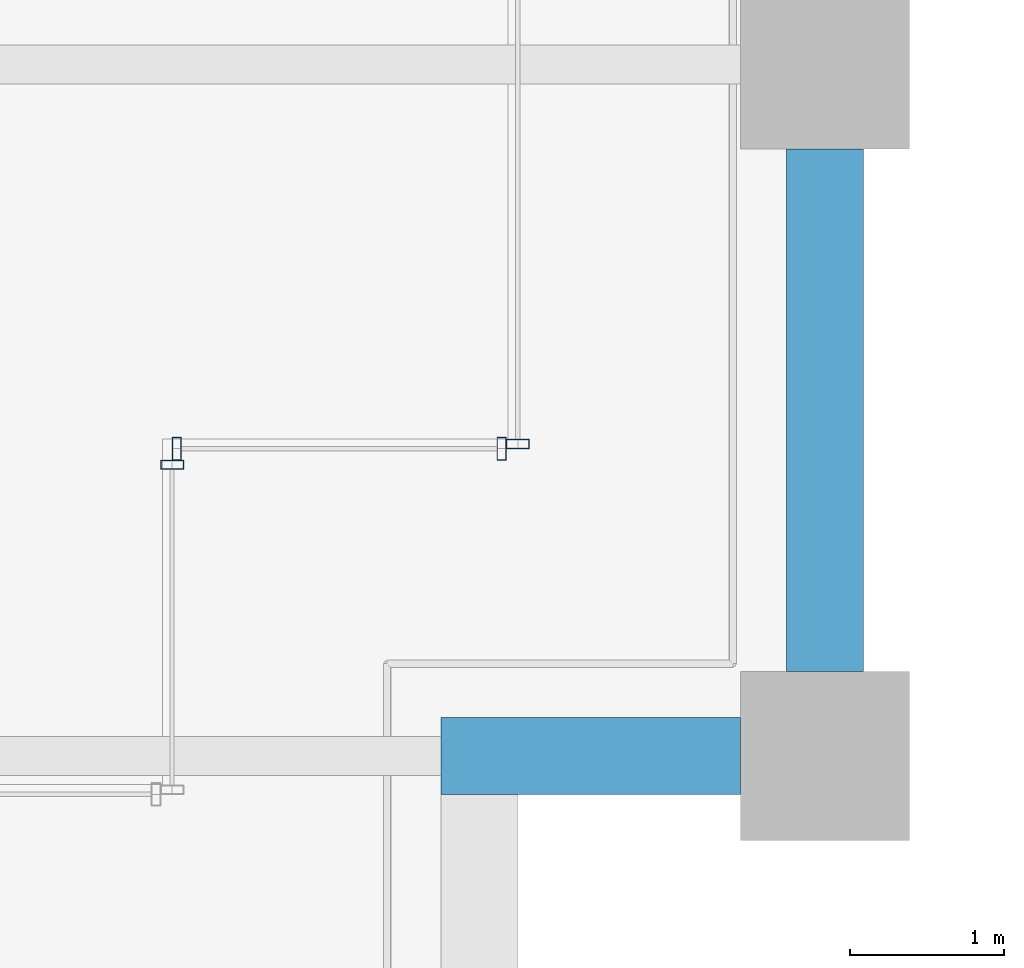
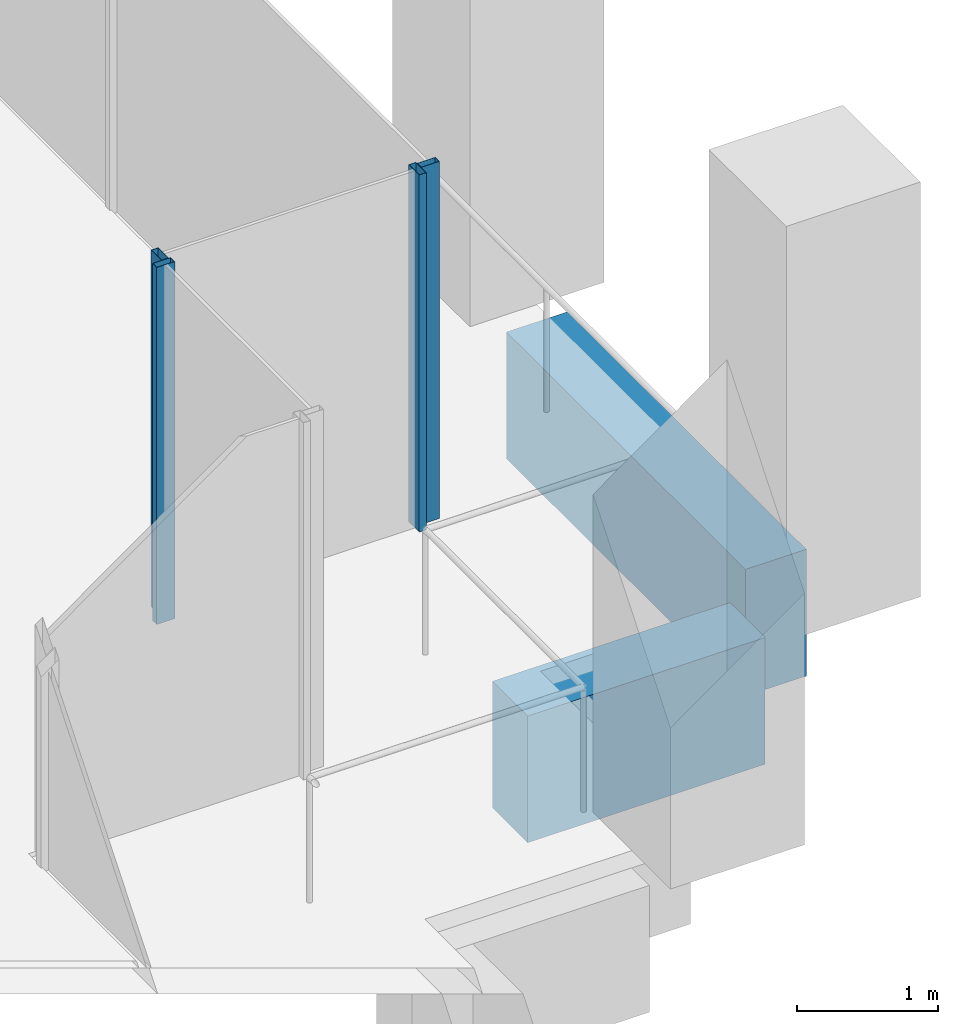
# One storey, part 16 of 56: 4 members, 2 beams, 3 elements without a shape of their own.
"""IFC4 building model written with IfcOpenShell, lengths in metres."""

from ifc_helpers import new_model, si_unit, direction, frame, origin, origin_2d, place, context, subcontext, project, spatial, rectangle, hollow_rectangle, extrude, material, material_profile, profile_set, type_object, element, aggregate, save


model = new_model("IFC4")

# Units and contexts
model_context = context("Model", 3, precision=1e-05, world=origin(), true_north=direction((0.0, 1.0)))
body_context = subcontext(model_context, "Body", "Model", "MODEL_VIEW")
ifc_project = project(units=[si_unit("LENGTHUNIT", "METRE"), si_unit("AREAUNIT", "SQUARE_METRE"), si_unit("VOLUMEUNIT", "CUBIC_METRE"), si_unit("PLANEANGLEUNIT", "RADIAN"), si_unit("MASSUNIT", "GRAM", prefix="KILO")], contexts=[model_context])

# Site, building, storey
site_placement = place(None, origin())
site = spatial("IfcSite", under=ifc_project, at=site_placement, CompositionType="ELEMENT")
building_placement = place(site_placement, origin())
building = spatial("IfcBuilding", under=site, at=building_placement, Name="Altepetl Exchange Towers", CompositionType="ELEMENT")
storey_placement = place(building_placement, frame((0.0, 0.0, 54.60009765625)))
storey = spatial("IfcBuildingStorey", under=building, at=storey_placement, Name="L12", CompositionType="ELEMENT", Elevation=54.60009765625)

# Curtain wall, member
ifc_material_1 = material(Name="Aluminium 6063-T6 glazing", Category="aluminium")
curtain_wall_type = type_object("IfcCurtainWallType", Name="Loggia glazing system", PredefinedType="NOTDEFINED", material=ifc_material_1)
curtain_wall_1_placement = place(storey_placement, origin())
curtain_wall_1 = element("IfcCurtainWall", 1, at=curtain_wall_1_placement, inside=storey, type_object=curtain_wall_type, Name="CW1 run", PredefinedType="NOTDEFINED")
ifc_material_2 = material(Name="Aluminium 6063-T6", Category="aluminium")
ifc_material_profile_1 = material_profile(ifc_material_2, hollow_rectangle(XDim=0.06005859375, YDim=0.14990234375, WallThickness=0.0029296875, at=origin_2d()), Name="Mullion 60x150 aluminium")
ifc_profile_set_1 = profile_set([ifc_material_profile_1], Name="Aluminium 6063-T6")
member_type = type_object("IfcMemberType", Name="Mullion 60x150 aluminium", PredefinedType="MULLION", material=ifc_profile_set_1)
member_1_placement = place(storey_placement, frame((67.75, 33.39501953125, 0.0), z_axis=(0.0, 0.0, 1.0), x_axis=(0.0, 1.0, 0.0)))
member_1 = element("IfcMember", 2, at=member_1_placement, type_object=member_type, Name="MU1 mullion", PredefinedType="MULLION", context=body_context, shape_type="SweptSolid", body=[
    extrude(hollow_rectangle(XDim=0.06005859375, YDim=0.14990234375, WallThickness=0.0029296875, at=origin_2d()), origin(), (0.0, 0.0, 1.0), 3.099853515625),
])
aggregate(curtain_wall_1, [member_1])

# Curtain wall, members
curtain_wall_2_placement = place(storey_placement, origin())
curtain_wall_2 = element("IfcCurtainWall", 3, at=curtain_wall_2_placement, inside=storey, type_object=curtain_wall_type, Name="CW1 run", PredefinedType="NOTDEFINED")
member_2_placement = place(storey_placement, frame((67.780029296875, 33.5, 0.0)))
member_2 = element("IfcMember", 4, at=member_2_placement, type_object=member_type, Name="MU1 mullion", PredefinedType="MULLION", context=body_context, shape_type="SweptSolid", body=[
    extrude(hollow_rectangle(XDim=0.06005859375, YDim=0.14990234375, WallThickness=0.0029296875, at=origin_2d()), origin(), (0.0, 0.0, 1.0), 3.099853515625),
])
member_3_placement = place(storey_placement, frame((69.89501953125, 33.5, 0.0)))
member_3 = element("IfcMember", 5, at=member_3_placement, type_object=member_type, Name="MU1 mullion", PredefinedType="MULLION", context=body_context, shape_type="SweptSolid", body=[
    extrude(hollow_rectangle(XDim=0.06005859375, YDim=0.14990234375, WallThickness=0.0029296875, at=origin_2d()), origin(), (0.0, 0.0, 1.0), 3.099853515625),
])
aggregate(curtain_wall_2, [member_2, member_3])

# Curtain wall, member
curtain_wall_3_placement = place(storey_placement, origin())
curtain_wall_3 = element("IfcCurtainWall", 6, at=curtain_wall_3_placement, inside=storey, type_object=curtain_wall_type, Name="CW1 run", PredefinedType="NOTDEFINED")
member_4_placement = place(storey_placement, frame((70.0, 33.530029296875, 0.0), z_axis=(0.0, 0.0, 1.0), x_axis=(0.0, 1.0, 0.0)))
member_4 = element("IfcMember", 7, at=member_4_placement, type_object=member_type, Name="MU1 mullion", PredefinedType="MULLION", context=body_context, shape_type="SweptSolid", body=[
    extrude(hollow_rectangle(XDim=0.06005859375, YDim=0.14990234375, WallThickness=0.0029296875, at=origin_2d()), origin(), (0.0, 0.0, 1.0), 3.099853515625),
])
aggregate(curtain_wall_3, [member_4])

# Beams
ifc_material_3 = material(Name="Concrete C50/60 precast with cantera amarilla facing", Category="concrete")
ifc_material_profile_2 = material_profile(ifc_material_3, rectangle(XDim=0.5, YDim=1.10009765625, at=origin_2d()), Name="500 x 1100")
ifc_profile_set_2 = profile_set([ifc_material_profile_2], Name="Concrete C50/60 precast with cantera amarilla facing")
beam_type = type_object("IfcBeamType", Name="Spandrel beam 500x1100 cantera amarilla", PredefinedType="SPANDREL", material=ifc_profile_set_2)
beam_1_placement = place(storey_placement, frame((69.5, 31.5, -0.7001953125), z_axis=(1.0, 0.0, 0.0), x_axis=(0.0, 1.0, 0.0)))
element("IfcBeam", 8, at=beam_1_placement, inside=storey, type_object=beam_type, Name="sp:A:L12:011", PredefinedType="SPANDREL", context=body_context, shape_type="SweptSolid", body=[
    extrude(rectangle(XDim=0.5, YDim=1.10009765625, at=origin_2d()), origin(), (0.0, 0.0, 1.0), 1.949951171875),
])
beam_2_placement = place(storey_placement, frame((72.0, 32.050048828125, -0.7001953125), z_axis=(0.0, 1.0, 0.0), x_axis=(-1.0, 0.0, 0.0)))
element("IfcBeam", 9, at=beam_2_placement, inside=storey, type_object=beam_type, Name="sp:A:L12:012", PredefinedType="SPANDREL", context=body_context, shape_type="SweptSolid", body=[
    extrude(rectangle(XDim=0.5, YDim=1.10009765625, at=origin_2d()), origin(), (0.0, 0.0, 1.0), 3.39990234375),
])

save(model, "model.ifc")
